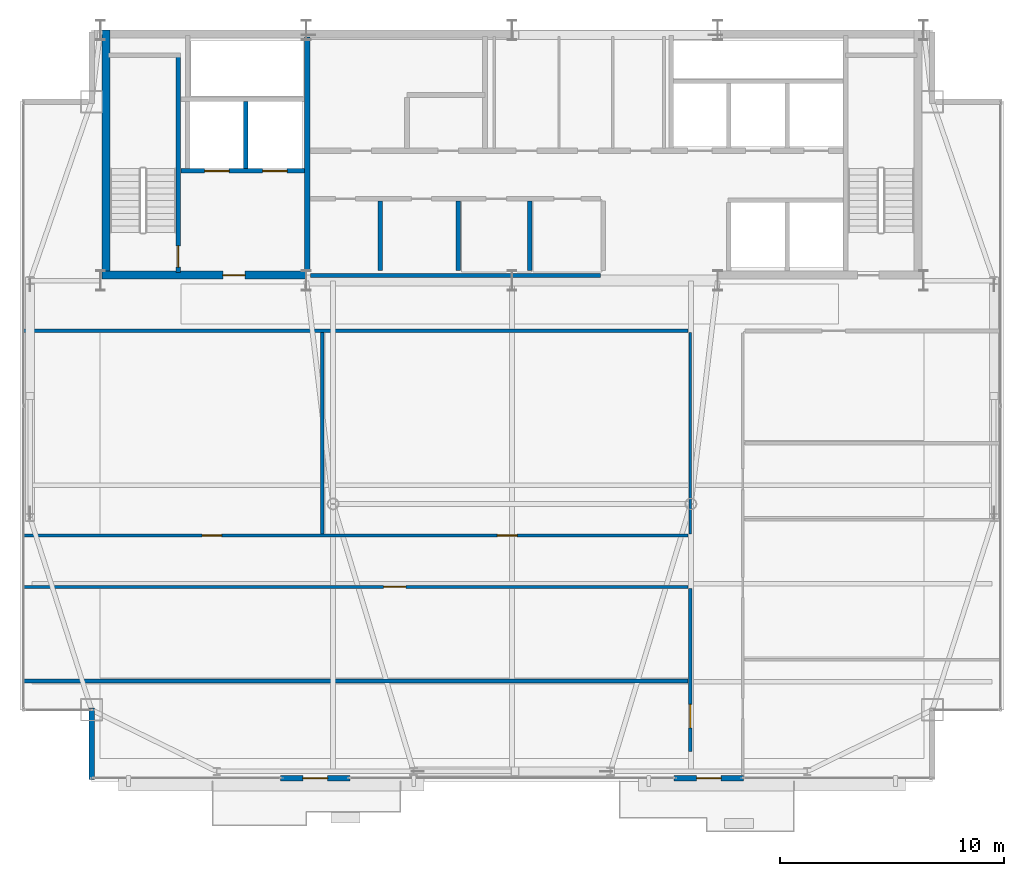
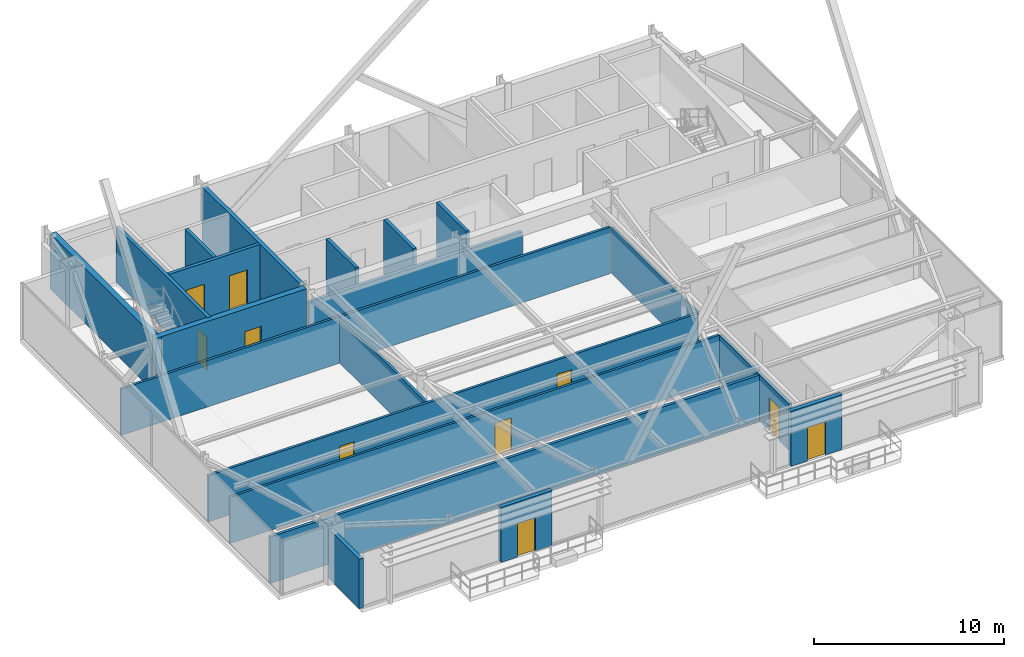
# One storey, part 21 of 25: 20 walls, 10 doors, 10 openings.
"""IFC4 building model written with IfcOpenShell, lengths in metres."""

import ifcopenshell
import ifcopenshell.guid

model = None  # the IFC model being written
_history = None  # IfcOwnerHistory: only IFC2X3 demands one
_inside = {}  # id of a spatial element -> (the spatial element, [elements in it])
_under = {}  # id of a project, library or spatial element -> (it, [spatial elements below it])
_declared = {}  # id of a project -> (the project, [libraries it declares])
_typed = {}  # id of a type object -> (the type object, [elements of that type])
_made_of = {}  # id of a material, layer set ... -> (it, [elements and type objects made of it])


def new_model(schema):
    """Start an empty IFC model of exactly this schema.

    Asked for "IFC4X3", IfcOpenShell would pick the latest addendum, in which some entities
    have other attributes; the version numbers below select the first issue.
    IFC2X3 requires an IfcOwnerHistory on every rooted entity: one is made here for all.
    """
    global model, _history
    if schema == "IFC4X3":
        model = ifcopenshell.file(schema_version=(4, 3, 0, 0))
    else:
        model = ifcopenshell.file(schema=schema)
    _inside.clear()
    _under.clear()
    _declared.clear()
    _typed.clear()
    _made_of.clear()
    _history = None
    if model.schema == "IFC2X3":
        org = make("IfcOrganization", Name="unknown")
        user = make(
            "IfcPersonAndOrganization",
            ThePerson=make("IfcPerson", FamilyName="unknown"),
            TheOrganization=org,
        )
        app = make(
            "IfcApplication",
            ApplicationDeveloper=org,
            Version="unknown",
            ApplicationFullName="unknown",
            ApplicationIdentifier="unknown",
        )
        _history = make(
            "IfcOwnerHistory",
            OwningUser=user,
            OwningApplication=app,
            ChangeAction="ADDED",
            CreationDate=0,
        )
    return model


def make(cls, **values):
    """One entity of the class cls with the attributes given. An attribute that is None is left unset."""
    return model.create_entity(
        cls, **{name: value for name, value in values.items() if value is not None}
    )


def rooted(cls, **values):
    """An entity with a GlobalId (a new one), such as an element, a storey or a relation."""
    return make(cls, GlobalId=ifcopenshell.guid.new(), OwnerHistory=_history, **values)


def si_unit(unit_type, name, prefix=None):
    """IfcSIUnit, for example si_unit("LENGTHUNIT", "METRE", prefix="MILLI")."""
    return make("IfcSIUnit", UnitType=unit_type, Prefix=prefix, Name=name)


def assignment(units):
    """IfcUnitAssignment: the units of a project."""
    return None if units is None else make("IfcUnitAssignment", Units=units)


def point(xyz):
    """IfcCartesianPoint."""
    return None if xyz is None else make("IfcCartesianPoint", Coordinates=xyz)


def direction(xyz):
    """IfcDirection."""
    return None if xyz is None else make("IfcDirection", DirectionRatios=xyz)


def frame(location, z_axis=None, x_axis=None):
    """IfcAxis2Placement3D, a coordinate frame: its origin and axes. An axis left out is left unset."""
    return make(
        "IfcAxis2Placement3D",
        Location=point(location),
        Axis=direction(z_axis),
        RefDirection=direction(x_axis),
    )


def frame_2d(location, x_axis=None):
    """IfcAxis2Placement2D, a coordinate frame in the plane: its origin and x axis."""
    return make(
        "IfcAxis2Placement2D", Location=point(location), RefDirection=direction(x_axis)
    )


def origin():
    """The frame at (0, 0, 0) with its axes left unset."""
    return frame((0.0, 0.0, 0.0))


def place(relative_to, where):
    """IfcLocalPlacement: puts the frame where relative to a parent placement (None: the world)."""
    return make(
        "IfcLocalPlacement", PlacementRelTo=relative_to, RelativePlacement=where
    )


def context(
    kind, dimensions, precision=None, world=None, true_north=None, identifier=None
):
    """IfcGeometricRepresentationContext, for example the 3D "Model" context."""
    return make(
        "IfcGeometricRepresentationContext",
        ContextIdentifier=identifier,
        ContextType=kind,
        CoordinateSpaceDimension=dimensions,
        Precision=precision,
        WorldCoordinateSystem=world,
        TrueNorth=true_north,
    )


def subcontext(parent, identifier, kind, view, scale=None):
    """IfcGeometricRepresentationSubContext, for example "Body" below "Model"."""
    return make(
        "IfcGeometricRepresentationSubContext",
        ContextIdentifier=identifier,
        ContextType=kind,
        ParentContext=parent,
        TargetScale=scale,
        TargetView=view,
    )


def project(units=None, contexts=None):
    """IfcProject with its units and contexts."""
    return rooted(
        "IfcProject",
        Name="project",
        RepresentationContexts=contexts,
        UnitsInContext=assignment(units),
    )


def spatial(cls, under=None, at=None, **own):
    """A site, building, storey or space (cls), placed at a placement, below another one or the project."""
    s = rooted(cls, ObjectPlacement=at, **own)
    if under is not None:
        _under.setdefault(under.id(), (under, []))[1].append(s)
    return s


def profile(cls, at=None, kind="AREA", **sizes):
    """A parametric profile (cls). Its sizes go by their IFC names, for example OverallWidth=200.0."""
    return make(cls, ProfileType=kind, Position=at, **sizes)


def rectangle(**sizes):
    """IfcRectangleProfileDef."""
    return profile("IfcRectangleProfileDef", **sizes)


def extrude(swept, where, along, depth):
    """IfcExtrudedAreaSolid: the profile swept, set in the frame where, extruded along a direction by depth."""
    return make(
        "IfcExtrudedAreaSolid",
        SweptArea=swept,
        Position=where,
        ExtrudedDirection=direction(along),
        Depth=depth,
    )


def shape(context_of_items, identifier, shape_type, items):
    """IfcShapeRepresentation: the items that make up one representation, for example the "Body"."""
    return make(
        "IfcShapeRepresentation",
        ContextOfItems=context_of_items,
        RepresentationIdentifier=identifier,
        RepresentationType=shape_type,
        Items=items,
    )


def source(mapping_origin, context_of_items, identifier, shape_type, items):
    """IfcRepresentationMap: a shape defined once, which mapped items show again and again."""
    return make(
        "IfcRepresentationMap",
        MappingOrigin=mapping_origin,
        MappedRepresentation=shape(context_of_items, identifier, shape_type, items),
    )


def transform(
    local_origin,
    x_axis=None,
    y_axis=None,
    z_axis=None,
    scale=None,
    scale2=None,
    scale3=None,
    uniform=True,
):
    """IfcCartesianTransformationOperator3D, or its non-uniform kind. x_axis, y_axis, z_axis: its Axis1, 2, 3."""
    if uniform:
        return make(
            "IfcCartesianTransformationOperator3D",
            Axis1=direction(x_axis),
            Axis2=direction(y_axis),
            LocalOrigin=point(local_origin),
            Scale=scale,
            Axis3=direction(z_axis),
        )
    return make(
        "IfcCartesianTransformationOperator3DnonUniform",
        Axis1=direction(x_axis),
        Axis2=direction(y_axis),
        LocalOrigin=point(local_origin),
        Scale=scale,
        Axis3=direction(z_axis),
        Scale2=scale2,
        Scale3=scale3,
    )


def mapped(mapping_source, mapping_target):
    """IfcMappedItem: shows the shape of a source again, moved by a transform."""
    return make(
        "IfcMappedItem", MappingSource=mapping_source, MappingTarget=mapping_target
    )


def material(Name=None, Category=None):
    """IfcMaterial."""
    return make("IfcMaterial", Name=Name, Category=Category)


def layer(
    of_material, thickness, ventilated=None, Name=None, Category=None, Priority=None
):
    """IfcMaterialLayer: one layer of a wall or slab, of a material (None: an air gap)."""
    return make(
        "IfcMaterialLayer",
        Material=of_material,
        LayerThickness=thickness,
        IsVentilated=ventilated,
        Name=Name,
        Category=Category,
        Priority=Priority,
    )


def layer_set(layers, Name=None):
    """IfcMaterialLayerSet."""
    return make("IfcMaterialLayerSet", MaterialLayers=layers, LayerSetName=Name)


def made_of(thing, what):
    """Note that an element or type object is made of a material, layer set ...; save() writes the relation."""
    if what is not None:
        _made_of.setdefault(what.id(), (what, []))[1].append(thing)
    return thing


def type_object(cls, material=None, **own):
    """A type object (cls), such as IfcWallType, which elements share."""
    return made_of(rooted(cls, **own), material)


def type_shapes(of_type, sources):
    """Give a type object the sources (RepresentationMaps) that its elements show as mapped items."""
    of_type.RepresentationMaps = sources


def element(
    cls,
    number,
    at=None,
    inside=None,
    cuts=None,
    type_object=None,
    material=None,
    context=None,
    identifier="Body",
    shape_type=None,
    held_by="IfcProductDefinitionShape",
    body=None,
    shapes=None,
    **own,
):
    """One element of the class cls, such as IfcWall. Its Tag is "e" and its number.

    at: its placement. inside: the storey or other place that contains it. cuts: it is an
    opening in that element (IfcRelVoidsElement). A single representation is given by context,
    identifier, shape_type and body (its items); several are given by shapes. held_by: the class
    of the entity that holds the representations. save() writes the other relations.
    """
    e = rooted(cls, Tag="e%d" % number, ObjectPlacement=at, **own)
    if body is not None:
        shapes = [shape(context, identifier, shape_type, body)]
    if shapes is not None:
        e.Representation = make(held_by, Representations=shapes)
    if inside is not None:
        _inside.setdefault(inside.id(), (inside, []))[1].append(e)
    if cuts is not None:
        rooted(
            "IfcRelVoidsElement", RelatingBuildingElement=cuts, RelatedOpeningElement=e
        )
    if type_object is not None:
        _typed.setdefault(type_object.id(), (type_object, []))[1].append(e)
    return made_of(e, material)


def fill(opening, filler):
    """IfcRelFillsElement: the door or window that sits in an opening."""
    return rooted(
        "IfcRelFillsElement",
        RelatingOpeningElement=opening,
        RelatedBuildingElement=filler,
    )


def aggregate(whole, parts):
    """IfcRelAggregates: a whole, such as a stair, and the parts it consists of."""
    return rooted("IfcRelAggregates", RelatingObject=whole, RelatedObjects=parts)


def save(model, path):
    """Write the relations noted so far, then the file.

    IfcRelAggregates (storeys below a building ...), IfcRelContainedInSpatialStructure (elements
    in a storey), IfcRelDefinesByType, IfcRelAssociatesMaterial and IfcRelDeclares: one each for
    every whole, place, type object, material and project.
    """
    for whole, parts in _under.values():
        aggregate(whole, parts)
    for where, things in _inside.values():
        rooted(
            "IfcRelContainedInSpatialStructure",
            RelatedElements=things,
            RelatingStructure=where,
        )
    for kind, things in _typed.values():
        rooted("IfcRelDefinesByType", RelatedObjects=things, RelatingType=kind)
    for what, things in _made_of.values():
        rooted("IfcRelAssociatesMaterial", RelatedObjects=things, RelatingMaterial=what)
    for by, libraries in _declared.values():
        rooted("IfcRelDeclares", RelatingContext=by, RelatedDefinitions=libraries)
    model.write(path)


model = new_model("IFC4")

# Units and contexts
model_context = context("Model", 3, precision=1e-05, world=origin(), true_north=direction((0.0, 1.0)))
body_context = subcontext(model_context, "Body", "Model", "MODEL_VIEW")
ifc_project = project(units=[si_unit("LENGTHUNIT", "METRE"), si_unit("AREAUNIT", "SQUARE_METRE"), si_unit("VOLUMEUNIT", "CUBIC_METRE"), si_unit("PLANEANGLEUNIT", "RADIAN"), si_unit("MASSUNIT", "GRAM", prefix="KILO")], contexts=[model_context])

# Site, building, storey
site_placement = place(None, origin())
site = spatial("IfcSite", under=ifc_project, at=site_placement, CompositionType="ELEMENT")
building_placement = place(site_placement, origin())
building = spatial("IfcBuilding", under=site, at=building_placement, Name="Varnel Quay Broadcast Tower", CompositionType="ELEMENT")
storey_placement = place(building_placement, frame((0.0, 0.0, 273.60009765625)))
storey = spatial("IfcBuildingStorey", under=building, at=storey_placement, Name="L68", CompositionType="ELEMENT", Elevation=273.60009765625)

# Wall, opening, door
ifc_material_1 = material(Name="Concrete CSA A23.3 C50/60", Category="concrete")
ifc_layer_1 = layer(ifc_material_1, 0.199951171875, Name="Concrete CSA A23.3 C50/60")
ifc_layer_set_1 = layer_set([ifc_layer_1], Name="Concrete CSA A23.3 C50/60")
wall_type_1 = type_object("IfcWallType", Name="Wall_CoreShaftShear200", PredefinedType="SHEAR", material=ifc_layer_set_1)
wall_1_placement = place(storey_placement, frame((19.080078125, 35.949951171875, 0.0), z_axis=(0.0, 0.0, 1.0), x_axis=(0.0, 1.0, 0.0)))
wall_1 = element("IfcWall", 1, at=wall_1_placement, inside=storey, type_object=wall_type_1, Name="L68 Stair 1 East Structural Wall", PredefinedType="SHEAR", context=body_context, shape_type="SweptSolid", body=[
    extrude(rectangle(XDim=9.650146484375, YDim=0.199951171875, at=frame_2d((4.8251953125, 0.0))), origin(), (0.0, 0.0, 1.0), 3.5498046875),
])
opening_1_placement = place(wall_1_placement, frame((0.25, 0.0, 0.0)))
opening_1 = element("IfcOpeningElement", 2, at=opening_1_placement, cuts=wall_1, Name="Opening D-L68-S1", PredefinedType="OPENING", context=body_context, shape_type="SweptSolid", body=[
    extrude(rectangle(XDim=0.949951171875, YDim=2.10009765625, at=frame_2d((0.47509765625, 1.050048828125))), frame((0.0, 0.10986328125, 0.0), z_axis=(0.0, -1.0, 0.0), x_axis=(1.0, 0.0, 0.0)), (0.0, 0.0, 1.0), 0.219970703125),
])
ifc_material_2 = material(Name="Insulated Fire-Rated Hollow Steel Door", Category="steel")
door_type_1 = type_object("IfcDoorType", Name="Door_FireStair950", OperationType="NOTDEFINED", PredefinedType="DOOR", material=ifc_material_2)
shared_shape_1 = source(origin(), body_context, "Body", "SweptSolid", [
    extrude(rectangle(XDim=0.949951171875, YDim=2.10009765625, at=frame_2d((0.47509765625, 1.050048828125))), frame((0.0, 0.02490234375, 0.0), z_axis=(0.0, -1.0, 0.0), x_axis=(1.0, 0.0, 0.0)), (0.0, 0.0, 1.0), 0.050048828125),
])
type_shapes(door_type_1, [shared_shape_1])
door_1_placement = place(opening_1_placement, origin())
door_1 = element("IfcDoor", 3, at=door_1_placement, inside=storey, type_object=door_type_1, Name="L68 Stair 1 Fire Door", OperationType="SINGLE_SWING_LEFT", OverallHeight=2.10009765625, OverallWidth=0.949951171875, PredefinedType="DOOR", context=body_context, shape_type="MappedRepresentation", body=[
    mapped(shared_shape_1, transform((0.0, 0.0, 0.0), x_axis=(1.0, 0.0, 0.0), y_axis=(0.0, 1.0, 0.0), z_axis=(0.0, 0.0, 1.0), scale=1.0)),
])
fill(opening_1, door_1)

# Wall, openings, doors
wall_2_placement = place(storey_placement, frame((19.199951171875, 40.5, 0.0), z_axis=(0.0, 0.0, 1.0), x_axis=(1.0, 0.0, 0.0)))
wall_2 = element("IfcWall", 4, at=wall_2_placement, inside=storey, type_object=wall_type_1, Name="L68 Firefighter Lift Shaft Front Wall", PredefinedType="SHEAR", context=body_context, shape_type="SweptSolid", body=[
    extrude(rectangle(XDim=5.52001953125, YDim=0.199951171875, at=frame_2d((2.760009765625, 0.0))), origin(), (0.0, 0.0, 1.0), 3.5498046875),
])
opening_2_placement = place(wall_2_placement, frame((1.050048828125, 0.0, 0.0)))
opening_2 = element("IfcOpeningElement", 5, at=opening_2_placement, cuts=wall_2, Name="Opening LD-L68-FE1", PredefinedType="OPENING", context=body_context, shape_type="SweptSolid", body=[
    extrude(rectangle(XDim=1.10009765625, YDim=2.179931640625, at=frame_2d((0.550048828125, 1.08984375))), frame((0.0, 0.10986328125, 0.0), z_axis=(0.0, -1.0, 0.0), x_axis=(1.0, 0.0, 0.0)), (0.0, 0.0, 1.0), 0.219970703125),
])
opening_3_placement = place(wall_2_placement, frame((3.64990234375, 0.0, 0.0)))
opening_3 = element("IfcOpeningElement", 6, at=opening_3_placement, cuts=wall_2, Name="Opening LD-L68-FE2", PredefinedType="OPENING", context=body_context, shape_type="SweptSolid", body=[
    extrude(rectangle(XDim=1.10009765625, YDim=2.179931640625, at=frame_2d((0.550048828125, 1.08984375))), frame((0.0, 0.10986328125, 0.0), z_axis=(0.0, -1.0, 0.0), x_axis=(1.0, 0.0, 0.0)), (0.0, 0.0, 1.0), 0.219970703125),
])
ifc_material_3 = material(Name="Brushed Bronze-Stainless Lift Car & Sliding Doors", Category="steel")
door_type_2 = type_object("IfcDoorType", Name="Door_LiftLanding1100", OperationType="SLIDING_TO_LEFT", PredefinedType="DOOR", material=ifc_material_3)
shared_shape_2 = source(origin(), body_context, "Body", "SweptSolid", [
    extrude(rectangle(XDim=1.10009765625, YDim=2.179931640625, at=frame_2d((0.550048828125, 1.08984375))), frame((0.0, 0.02490234375, 0.0), z_axis=(0.0, -1.0, 0.0), x_axis=(1.0, 0.0, 0.0)), (0.0, 0.0, 1.0), 0.050048828125),
])
type_shapes(door_type_2, [shared_shape_2])
door_2_placement = place(opening_2_placement, frame((1.10009765625, 0.0, 0.0), z_axis=(0.0, 0.0, 1.0), x_axis=(-1.0, 0.0, 0.0)))
door_2 = element("IfcDoor", 7, at=door_2_placement, inside=storey, type_object=door_type_2, Name="L68 Firefighter Lift FE-01 Landing Door", OperationType="SLIDING_TO_LEFT", OverallHeight=2.179931640625, OverallWidth=1.10009765625, PredefinedType="DOOR", context=body_context, shape_type="MappedRepresentation", body=[
    mapped(shared_shape_2, transform((0.0, 0.0, 0.0), x_axis=(1.0, 0.0, 0.0), y_axis=(0.0, 1.0, 0.0), z_axis=(0.0, 0.0, 1.0), scale=1.0)),
])
fill(opening_2, door_2)
door_3_placement = place(opening_3_placement, frame((1.10009765625, 0.0, 0.0), z_axis=(0.0, 0.0, 1.0), x_axis=(-1.0, 0.0, 0.0)))
door_3 = element("IfcDoor", 8, at=door_3_placement, inside=storey, type_object=door_type_2, Name="L68 Firefighter Lift FE-02 Landing Door", OperationType="SLIDING_TO_RIGHT", OverallHeight=2.179931640625, OverallWidth=1.10009765625, PredefinedType="DOOR", context=body_context, shape_type="MappedRepresentation", body=[
    mapped(shared_shape_2, transform((0.0, 0.0, 0.0), x_axis=(1.0, 0.0, 0.0), y_axis=(0.0, 1.0, 0.0), z_axis=(0.0, 0.0, 1.0), scale=1.0)),
])
fill(opening_3, door_3)

# Walls
wall_3_placement = place(storey_placement, frame((22.10009765625, 40.60009765625, 0.0), z_axis=(0.0, 0.0, 1.0), x_axis=(0.0, 1.0, 0.0)))
element("IfcWall", 9, at=wall_3_placement, inside=storey, type_object=wall_type_1, Name="L68 Firefighter Lift Shaft Divider", PredefinedType="SHEAR", context=body_context, shape_type="SweptSolid", body=[
    extrude(rectangle(XDim=3.0, YDim=0.199951171875, at=frame_2d((1.5, 0.0))), origin(), (0.0, 0.0, 1.0), 3.5498046875),
])
ifc_layer_2 = layer(ifc_material_1, 0.25, Name="Concrete CSA A23.3 C50/60")
ifc_layer_set_2 = layer_set([ifc_layer_2], Name="Concrete CSA A23.3 C50/60")
wall_type_2 = type_object("IfcWallType", Name="Wall_CoreShaftShear250", PredefinedType="SHEAR", material=ifc_layer_set_2)
wall_4_placement = place(storey_placement, frame((24.85009765625, 36.050048828125, 0.0), z_axis=(0.0, 0.0, 1.0), x_axis=(0.0, 1.0, 0.0)))
element("IfcWall", 10, at=wall_4_placement, inside=storey, type_object=wall_type_2, Name="L68 Firefighting Lobby East Structural Wall", PredefinedType="SHEAR", context=body_context, shape_type="SweptSolid", body=[
    extrude(rectangle(XDim=10.449951171875, YDim=0.25, at=frame_2d((5.22509765625, 0.0))), origin(), (0.0, 0.0, 1.0), 3.5498046875),
])
ifc_layer_3 = layer(ifc_material_1, 0.35009765625, Name="Concrete CSA A23.3 C50/60")
ifc_layer_set_3 = layer_set([ifc_layer_3], Name="Concrete CSA A23.3 C50/60")
wall_type_3 = type_object("IfcWallType", Name="Wall_CoreShearInt350", PredefinedType="SHEAR", material=ifc_layer_set_3)
wall_5_placement = place(storey_placement, frame((15.844970703125, 35.669921875, 0.0), z_axis=(0.0, 0.0, 1.0), x_axis=(0.0, 1.0, 0.0)))
element("IfcWall", 11, at=wall_5_placement, inside=storey, type_object=wall_type_3, Name="L68 West Core Shear Wall", PredefinedType="SHEAR", context=body_context, shape_type="SweptSolid", body=[
    extrude(rectangle(XDim=11.130126953125, YDim=0.35009765625, at=frame_2d((5.56494140625, 0.0))), origin(), (0.0, 0.0, 1.0), 3.5498046875),
])

# Wall, opening, door
wall_6_placement = place(storey_placement, frame((15.669921875, 35.844970703125, 0.0), z_axis=(0.0, 0.0, 1.0), x_axis=(1.0, 0.0, 0.0)))
wall_6 = element("IfcWall", 12, at=wall_6_placement, inside=storey, type_object=wall_type_3, Name="L68 South-West Core Shear Wall", PredefinedType="SHEAR", context=body_context, shape_type="SweptSolid", body=[
    extrude(rectangle(XDim=9.130126953125, YDim=0.35009765625, at=frame_2d((4.56494140625, 0.0))), origin(), (0.0, 0.0, 1.0), 3.5498046875),
])
opening_4_placement = place(wall_6_placement, frame((5.39990234375, 0.0, 0.0)))
opening_4 = element("IfcOpeningElement", 13, at=opening_4_placement, cuts=wall_6, Name="Opening D-L68-FFL", PredefinedType="OPENING", context=body_context, shape_type="SweptSolid", body=[
    extrude(rectangle(XDim=1.0, YDim=2.10009765625, at=frame_2d((0.5, 1.050048828125))), frame((0.0, 0.18505859375, 0.0), z_axis=(0.0, -1.0, 0.0), x_axis=(1.0, 0.0, 0.0)), (0.0, 0.0, 1.0), 0.3701171875),
])
door_type_3 = type_object("IfcDoorType", Name="Door_FireLobby1000", OperationType="NOTDEFINED", PredefinedType="DOOR", material=ifc_material_2)
shared_shape_3 = source(origin(), body_context, "Body", "SweptSolid", [
    extrude(rectangle(XDim=1.0, YDim=2.10009765625, at=frame_2d((0.5, 1.050048828125))), frame((0.0, 0.02490234375, 0.0), z_axis=(0.0, -1.0, 0.0), x_axis=(1.0, 0.0, 0.0)), (0.0, 0.0, 1.0), 0.050048828125),
])
type_shapes(door_type_3, [shared_shape_3])
door_4_placement = place(opening_4_placement, origin())
door_4 = element("IfcDoor", 14, at=door_4_placement, inside=storey, type_object=door_type_3, Name="L68 Firefighting Lobby Door", OperationType="SINGLE_SWING_RIGHT", OverallHeight=2.10009765625, OverallWidth=1.0, PredefinedType="DOOR", context=body_context, shape_type="MappedRepresentation", body=[
    mapped(shared_shape_3, transform((0.0, 0.0, 0.0), x_axis=(1.0, 0.0, 0.0), y_axis=(0.0, 1.0, 0.0), z_axis=(0.0, 0.0, 1.0), scale=1.0)),
])
fill(opening_4, door_4)

ifc_material_4 = material(Name="Precast Architectural Concrete C40/50", Category="concrete")
ifc_layer_4 = layer(ifc_material_4, 0.25, Name="Precast Architectural Concrete C40/50")
ifc_layer_set_4 = layer_set([ifc_layer_4], Name="Precast Architectural Concrete C40/50")
wall_type_4 = type_object("IfcWallType", Name="Wall_ExtTerrace250", PredefinedType="SOLIDWALL", material=ifc_layer_set_4)
wall_7_placement = place(storey_placement, frame((23.64990234375, 13.35009765625, 0.0), z_axis=(0.0, 0.0, 1.0), x_axis=(1.0, 0.0, 0.0)))
wall_7 = element("IfcWall", 15, at=wall_7_placement, inside=storey, type_object=wall_type_4, Name="L68 Terrace Access Wall 1", PredefinedType="SOLIDWALL", context=body_context, shape_type="SweptSolid", body=[
    extrude(rectangle(XDim=3.10009765625, YDim=0.25, at=frame_2d((1.550048828125, 0.0))), origin(), (0.0, 0.0, 1.0), 3.52978515625),
])
opening_5_placement = place(wall_7_placement, frame((1.0, 0.0, 0.0)))
opening_5 = element("IfcOpeningElement", 16, at=opening_5_placement, cuts=wall_7, Name="Opening TD-681", PredefinedType="OPENING", context=body_context, shape_type="SweptSolid", body=[
    extrude(rectangle(XDim=1.10009765625, YDim=2.14990234375, at=frame_2d((0.550048828125, 1.074951171875))), frame((0.0, 0.135009765625, 0.0), z_axis=(0.0, -1.0, 0.0), x_axis=(1.0, 0.0, 0.0)), (0.0, 0.0, 1.0), 0.27001953125),
])
ifc_material_5 = material(Name="Anodised Bronze Aluminium 6063-T6", Category="aluminium")
door_type_4 = type_object("IfcDoorType", Name="Door_ExtTerrace1100", OperationType="NOTDEFINED", PredefinedType="DOOR", material=ifc_material_5)
shared_shape_4 = source(origin(), body_context, "Body", "SweptSolid", [
    extrude(rectangle(XDim=1.10009765625, YDim=2.14990234375, at=frame_2d((0.550048828125, 1.074951171875))), frame((0.0, 0.02490234375, 0.0), z_axis=(0.0, -1.0, 0.0), x_axis=(1.0, 0.0, 0.0)), (0.0, 0.0, 1.0), 0.050048828125),
])
type_shapes(door_type_4, [shared_shape_4])
door_5_placement = place(opening_5_placement, frame((1.10009765625, 0.0, 0.0), z_axis=(0.0, 0.0, 1.0), x_axis=(-1.0, 0.0, 0.0)))
door_5 = element("IfcDoor", 17, at=door_5_placement, inside=storey, type_object=door_type_4, Name="L68 Terrace Door TD-681", OperationType="SINGLE_SWING_LEFT", OverallHeight=2.14990234375, OverallWidth=1.10009765625, PredefinedType="DOOR", context=body_context, shape_type="MappedRepresentation", body=[
    mapped(shared_shape_4, transform((0.0, 0.0, 0.0), x_axis=(1.0, 0.0, 0.0), y_axis=(0.0, 1.0, 0.0), z_axis=(0.0, 0.0, 1.0), scale=1.0)),
])
fill(opening_5, door_5)

wall_8_placement = place(storey_placement, frame((41.25, 13.35009765625, 0.0), z_axis=(0.0, 0.0, 1.0), x_axis=(1.0, 0.0, 0.0)))
wall_8 = element("IfcWall", 18, at=wall_8_placement, inside=storey, type_object=wall_type_4, Name="L68 Terrace Access Wall 2", PredefinedType="SOLIDWALL", context=body_context, shape_type="SweptSolid", body=[
    extrude(rectangle(XDim=3.10009765625, YDim=0.25, at=frame_2d((1.550048828125, 0.0))), origin(), (0.0, 0.0, 1.0), 3.52978515625),
])
opening_6_placement = place(wall_8_placement, frame((1.0, 0.0, 0.0)))
opening_6 = element("IfcOpeningElement", 19, at=opening_6_placement, cuts=wall_8, Name="Opening TD-682", PredefinedType="OPENING", context=body_context, shape_type="SweptSolid", body=[
    extrude(rectangle(XDim=1.10009765625, YDim=2.14990234375, at=frame_2d((0.550048828125, 1.074951171875))), frame((0.0, 0.135009765625, 0.0), z_axis=(0.0, -1.0, 0.0), x_axis=(1.0, 0.0, 0.0)), (0.0, 0.0, 1.0), 0.27001953125),
])
door_6_placement = place(opening_6_placement, frame((1.10009765625, 0.0, 0.0), z_axis=(0.0, 0.0, 1.0), x_axis=(-1.0, 0.0, 0.0)))
door_6 = element("IfcDoor", 20, at=door_6_placement, inside=storey, type_object=door_type_4, Name="L68 Terrace Door TD-682", OperationType="SINGLE_SWING_RIGHT", OverallHeight=2.14990234375, OverallWidth=1.10009765625, PredefinedType="DOOR", context=body_context, shape_type="MappedRepresentation", body=[
    mapped(shared_shape_4, transform((0.0, 0.0, 0.0), x_axis=(1.0, 0.0, 0.0), y_axis=(0.0, 1.0, 0.0), z_axis=(0.0, 0.0, 1.0), scale=1.0)),
])
fill(opening_6, door_6)

# Walls
wall_9_placement = place(storey_placement, frame((15.199951171875, 13.280029296875, 0.0), z_axis=(0.0, 0.0, 1.0), x_axis=(0.0, 1.0, 0.0)))
element("IfcWall", 21, at=wall_9_placement, inside=storey, type_object=wall_type_4, Name="L68 Mega-Column Notch Cladding Wall NSW2", PredefinedType="SOLIDWALL", context=body_context, shape_type="SweptSolid", body=[
    extrude(rectangle(XDim=3.199951171875, YDim=0.25, at=frame_2d((1.60009765625, 0.0))), origin(), (0.0, 0.0, 1.0), 3.1708984375),
])
ifc_material_6 = material(Name="Concrete Blockwork Fire Enclosure C40/50", Category="masonry")
ifc_layer_5 = layer(ifc_material_6, 0.199951171875, Name="Concrete Blockwork Fire Enclosure C40/50")
ifc_layer_set_5 = layer_set([ifc_layer_5], Name="Concrete Blockwork Fire Enclosure C40/50")
wall_type_5 = type_object("IfcWallType", Name="Wall_FireShaft200", PredefinedType="SOLIDWALL", material=ifc_layer_set_5)
wall_10_placement = place(storey_placement, frame((25.0, 35.824951171875, 0.0), z_axis=(0.0, 0.0, 1.0), x_axis=(1.0, 0.0, 0.0)))
element("IfcWall", 22, at=wall_10_placement, inside=storey, type_object=wall_type_5, Name="L68 Accessible Universal Washroom Partition 1", PredefinedType="SOLIDWALL", context=body_context, shape_type="SweptSolid", body=[
    extrude(rectangle(XDim=12.949951171875, YDim=0.199951171875, at=frame_2d((6.47509765625, 0.0))), origin(), (0.0, 0.0, 1.0), 2.574951171875),
])
wall_11_placement = place(storey_placement, frame((34.800048828125, 36.050048828125, 0.0), z_axis=(0.0, 0.0, 1.0), x_axis=(0.0, 1.0, 0.0)))
element("IfcWall", 23, at=wall_11_placement, inside=storey, type_object=wall_type_5, Name="L68 Broadcast First-Aid & Quiet Room Partition 5", PredefinedType="SOLIDWALL", context=body_context, shape_type="SweptSolid", body=[
    extrude(rectangle(XDim=3.099853515625, YDim=0.199951171875, at=frame_2d((1.5498046875, 0.0))), origin(), (0.0, 0.0, 1.0), 3.52978515625),
])
ifc_material_7 = material(Name="Steel-Stud Fire-Rated Acoustic Gypsum Partition Assembly", Category="steel")
ifc_layer_6 = layer(ifc_material_7, 0.10498046875, Name="Steel-Stud Fire-Rated Acoustic Gypsum Partition Assembly")
ifc_layer_set_6 = layer_set([ifc_layer_6], Name="Steel-Stud Fire-Rated Acoustic Gypsum Partition Assembly")
wall_type_6 = type_object("IfcWallType", Name="Wall_Partition105", PredefinedType="PARTITIONING", material=ifc_layer_set_6)
wall_12_placement = place(storey_placement, frame((41.969970703125, 24.27490234375, 0.0), z_axis=(0.0, 0.0, 1.0), x_axis=(0.0, 1.0, 0.0)))
element("IfcWall", 24, at=wall_12_placement, inside=storey, type_object=wall_type_6, Name="L68 Media Tape Archive Store 4 Partition 13", PredefinedType="PARTITIONING", context=body_context, shape_type="SweptSolid", body=[
    extrude(rectangle(XDim=9.0, YDim=0.10498046875, at=frame_2d((4.5, 0.0))), origin(), (0.0, 0.0, 1.0), 2.98095703125),
])

# Wall, opening, door
ifc_layer_7 = layer(ifc_material_7, 0.139892578125, Name="Steel-Stud Fire-Rated Acoustic Gypsum Partition Assembly")
ifc_layer_set_7 = layer_set([ifc_layer_7], Name="Steel-Stud Fire-Rated Acoustic Gypsum Partition Assembly")
wall_type_7 = type_object("IfcWallType", Name="Wall_Partition140", PredefinedType="PARTITIONING", material=ifc_layer_set_7)
wall_13_placement = place(storey_placement, frame((12.179931640625, 21.89990234375, 0.0), z_axis=(0.0, 0.0, 1.0), x_axis=(1.0, 0.0, 0.0)))
wall_13 = element("IfcWall", 25, at=wall_13_placement, inside=storey, type_object=wall_type_7, Name="L68 Producer Lounge 2 Partition 9", PredefinedType="PARTITIONING", context=body_context, shape_type="SweptSolid", body=[
    extrude(rectangle(XDim=29.690185546875, YDim=0.139892578125, at=frame_2d((14.84521484375, 0.0))), origin(), (0.0, 0.0, 1.0), 2.98095703125),
])
opening_7_placement = place(wall_13_placement, frame((16.080078125, 0.0, 0.0)))
opening_7 = element("IfcOpeningElement", 26, at=opening_7_placement, cuts=wall_13, Name="Opening D-L68-06", PredefinedType="OPENING", context=body_context, shape_type="SweptSolid", body=[
    extrude(rectangle(XDim=1.0, YDim=2.10009765625, at=frame_2d((0.5, 1.050048828125))), frame((0.0, 0.080078125, 0.0), z_axis=(0.0, -1.0, 0.0), x_axis=(1.0, 0.0, 0.0)), (0.0, 0.0, 1.0), 0.159912109375),
])
ifc_material_8 = material(Name="Solid-Core Fire-Rated Acoustic Oak Veneer Door", Category="wood")
door_type_5 = type_object("IfcDoorType", Name="Door_Exec1000", OperationType="NOTDEFINED", PredefinedType="DOOR", material=ifc_material_8)
shared_shape_5 = source(origin(), body_context, "Body", "SweptSolid", [
    extrude(rectangle(XDim=1.0, YDim=2.10009765625, at=frame_2d((0.5, 1.050048828125))), frame((0.0, 0.02490234375, 0.0), z_axis=(0.0, -1.0, 0.0), x_axis=(1.0, 0.0, 0.0)), (0.0, 0.0, 1.0), 0.050048828125),
])
type_shapes(door_type_5, [shared_shape_5])
door_7_placement = place(opening_7_placement, frame((1.0, 0.0, 0.0), z_axis=(0.0, 0.0, 1.0), x_axis=(-1.0, 0.0, 0.0)))
door_7 = element("IfcDoor", 27, at=door_7_placement, inside=storey, type_object=door_type_5, Name="L68 Producer Lounge 2 Door D-L68-06", OperationType="SINGLE_SWING_RIGHT", OverallHeight=2.10009765625, OverallWidth=1.0, PredefinedType="DOOR", context=body_context, shape_type="MappedRepresentation", body=[
    mapped(shared_shape_5, transform((0.0, 0.0, 0.0), x_axis=(1.0, 0.0, 0.0), y_axis=(0.0, 1.0, 0.0), z_axis=(0.0, 0.0, 1.0), scale=1.0)),
])
fill(opening_7, door_7)

# Wall, openings, doors
ifc_layer_8 = layer(ifc_material_7, 0.14990234375, Name="Steel-Stud Fire-Rated Acoustic Gypsum Partition Assembly")
ifc_layer_set_8 = layer_set([ifc_layer_8], Name="Steel-Stud Fire-Rated Acoustic Gypsum Partition Assembly")
wall_type_8 = type_object("IfcWallType", Name="Wall_Partition150", PredefinedType="PARTITIONING", material=ifc_layer_set_8)
wall_14_placement = place(storey_placement, frame((12.179931640625, 24.199951171875, 0.0), z_axis=(0.0, 0.0, 1.0), x_axis=(1.0, 0.0, 0.0)))
wall_14 = element("IfcWall", 28, at=wall_14_placement, inside=storey, type_object=wall_type_8, Name="L68 Tea Kitchen 3 Partition 10", PredefinedType="PARTITIONING", context=body_context, shape_type="SweptSolid", body=[
    extrude(rectangle(XDim=29.690185546875, YDim=0.14990234375, at=frame_2d((14.84521484375, 0.0))), origin(), (0.0, 0.0, 1.0), 2.98095703125),
])
opening_8_placement = place(wall_14_placement, frame((7.9599609375, 0.0, 0.0)))
opening_8 = element("IfcOpeningElement", 29, at=opening_8_placement, cuts=wall_14, Name="Opening D-L68-07", PredefinedType="OPENING", context=body_context, shape_type="SweptSolid", body=[
    extrude(rectangle(XDim=0.8798828125, YDim=2.06005859375, at=frame_2d((0.43994140625, 1.030029296875))), frame((0.0, 0.0849609375, 0.0), z_axis=(0.0, -1.0, 0.0), x_axis=(1.0, 0.0, 0.0)), (0.0, 0.0, 1.0), 0.169921875),
])
opening_9_placement = place(wall_14_placement, frame((21.169921875, 0.0, 0.0)))
opening_9 = element("IfcOpeningElement", 30, at=opening_9_placement, cuts=wall_14, Name="Opening D-L68-08", PredefinedType="OPENING", context=body_context, shape_type="SweptSolid", body=[
    extrude(rectangle(XDim=0.8798828125, YDim=2.06005859375, at=frame_2d((0.43994140625, 1.030029296875))), frame((0.0, 0.0849609375, 0.0), z_axis=(0.0, -1.0, 0.0), x_axis=(1.0, 0.0, 0.0)), (0.0, 0.0, 1.0), 0.169921875),
])
door_type_6 = type_object("IfcDoorType", Name="Door_Booth880", OperationType="NOTDEFINED", PredefinedType="DOOR", material=ifc_material_8)
shared_shape_6 = source(origin(), body_context, "Body", "SweptSolid", [
    extrude(rectangle(XDim=0.8798828125, YDim=2.06005859375, at=frame_2d((0.43994140625, 1.030029296875))), frame((0.0, 0.02490234375, 0.0), z_axis=(0.0, -1.0, 0.0), x_axis=(1.0, 0.0, 0.0)), (0.0, 0.0, 1.0), 0.050048828125),
])
type_shapes(door_type_6, [shared_shape_6])
door_8_placement = place(opening_8_placement, origin())
door_8 = element("IfcDoor", 31, at=door_8_placement, inside=storey, type_object=door_type_6, Name="L68 Tea Kitchen 3 Door D-L68-07", OperationType="SINGLE_SWING_LEFT", OverallHeight=2.06005859375, OverallWidth=0.8798828125, PredefinedType="DOOR", context=body_context, shape_type="MappedRepresentation", body=[
    mapped(shared_shape_6, transform((0.0, 0.0, 0.0), x_axis=(1.0, 0.0, 0.0), y_axis=(0.0, 1.0, 0.0), z_axis=(0.0, 0.0, 1.0), scale=1.0)),
])
fill(opening_8, door_8)
door_9_placement = place(opening_9_placement, origin())
door_9 = element("IfcDoor", 32, at=door_9_placement, inside=storey, type_object=door_type_6, Name="L68 Media Tape Archive Store 4 Door D-L68-08", OperationType="SINGLE_SWING_RIGHT", OverallHeight=2.06005859375, OverallWidth=0.8798828125, PredefinedType="DOOR", context=body_context, shape_type="MappedRepresentation", body=[
    mapped(shared_shape_6, transform((0.0, 0.0, 0.0), x_axis=(1.0, 0.0, 0.0), y_axis=(0.0, 1.0, 0.0), z_axis=(0.0, 0.0, 1.0), scale=1.0)),
])
fill(opening_9, door_9)

# Walls
wall_15_placement = place(storey_placement, frame((25.510009765625, 24.27490234375, 0.0), z_axis=(0.0, 0.0, 1.0), x_axis=(0.0, 1.0, 0.0)))
element("IfcWall", 33, at=wall_15_placement, inside=storey, type_object=wall_type_8, Name="L68 Tea Kitchen 3 Partition 11", PredefinedType="PARTITIONING", context=body_context, shape_type="SweptSolid", body=[
    extrude(rectangle(XDim=9.0, YDim=0.14990234375, at=frame_2d((4.5, 0.0))), origin(), (0.0, 0.0, 1.0), 2.98095703125),
])
wall_16_placement = place(storey_placement, frame((12.179931640625, 33.35009765625, 0.0), z_axis=(0.0, 0.0, 1.0), x_axis=(1.0, 0.0, 0.0)))
element("IfcWall", 34, at=wall_16_placement, inside=storey, type_object=wall_type_8, Name="L68 Tea Kitchen 3 Partition 12", PredefinedType="PARTITIONING", context=body_context, shape_type="SweptSolid", body=[
    extrude(rectangle(XDim=29.690185546875, YDim=0.14990234375, at=frame_2d((14.84521484375, 0.0))), origin(), (0.0, 0.0, 1.0), 2.98095703125),
])

# Wall, opening, door
ifc_layer_9 = layer(ifc_material_7, 0.175048828125, Name="Steel-Stud Fire-Rated Acoustic Gypsum Partition Assembly")
ifc_layer_set_9 = layer_set([ifc_layer_9], Name="Steel-Stud Fire-Rated Acoustic Gypsum Partition Assembly")
wall_type_9 = type_object("IfcWallType", Name="Wall_Partition175", PredefinedType="PARTITIONING", material=ifc_layer_set_9)
wall_17_placement = place(storey_placement, frame((41.969970703125, 14.550048828125, 0.0), z_axis=(0.0, 0.0, 1.0), x_axis=(0.0, 1.0, 0.0)))
wall_17 = element("IfcWall", 35, at=wall_17_placement, inside=storey, type_object=wall_type_9, Name="L68 Screening Meeting Room 1 Partition 7", PredefinedType="PARTITIONING", context=body_context, shape_type="SweptSolid", body=[
    extrude(rectangle(XDim=7.280029296875, YDim=0.175048828125, at=frame_2d((3.64013671875, 0.0))), origin(), (0.0, 0.0, 1.0), 2.98095703125),
])
opening_10_placement = place(wall_17_placement, frame((1.050048828125, 0.0, 0.0)))
opening_10 = element("IfcOpeningElement", 36, at=opening_10_placement, cuts=wall_17, Name="Opening D-L68-05", PredefinedType="OPENING", context=body_context, shape_type="SweptSolid", body=[
    extrude(rectangle(XDim=1.050048828125, YDim=2.10009765625, at=frame_2d((0.52490234375, 1.050048828125))), frame((0.0, 0.09765625, 0.0), z_axis=(0.0, -1.0, 0.0), x_axis=(1.0, 0.0, 0.0)), (0.0, 0.0, 1.0), 0.195068359375),
])
door_type_7 = type_object("IfcDoorType", Name="Door_Meeting1050", OperationType="NOTDEFINED", PredefinedType="DOOR", material=ifc_material_8)
shared_shape_7 = source(origin(), body_context, "Body", "SweptSolid", [
    extrude(rectangle(XDim=1.050048828125, YDim=2.10009765625, at=frame_2d((0.52490234375, 1.050048828125))), frame((0.0, 0.02490234375, 0.0), z_axis=(0.0, -1.0, 0.0), x_axis=(1.0, 0.0, 0.0)), (0.0, 0.0, 1.0), 0.050048828125),
])
type_shapes(door_type_7, [shared_shape_7])
door_10_placement = place(opening_10_placement, origin())
door_10 = element("IfcDoor", 37, at=door_10_placement, inside=storey, type_object=door_type_7, Name="L68 Screening Meeting Room 1 Door D-L68-05", OperationType="SINGLE_SWING_LEFT", OverallHeight=2.10009765625, OverallWidth=1.050048828125, PredefinedType="DOOR", context=body_context, shape_type="MappedRepresentation", body=[
    mapped(shared_shape_7, transform((0.0, 0.0, 0.0), x_axis=(1.0, 0.0, 0.0), y_axis=(0.0, 1.0, 0.0), z_axis=(0.0, 0.0, 1.0), scale=1.0)),
])
fill(opening_10, door_10)

# Walls
wall_18_placement = place(storey_placement, frame((12.179931640625, 17.699951171875, 0.0), z_axis=(0.0, 0.0, 1.0), x_axis=(1.0, 0.0, 0.0)))
element("IfcWall", 38, at=wall_18_placement, inside=storey, type_object=wall_type_9, Name="L68 Screening Meeting Room 1 Partition 8", PredefinedType="PARTITIONING", context=body_context, shape_type="SweptSolid", body=[
    extrude(rectangle(XDim=29.690185546875, YDim=0.175048828125, at=frame_2d((14.84521484375, 0.0))), origin(), (0.0, 0.0, 1.0), 2.98095703125),
])
ifc_material_9 = material(Name="Fire-Rated Moisture-Resistant Plumbing Chase Partition")
ifc_layer_10 = layer(ifc_material_9, 0.199951171875, Name="Fire-Rated Moisture-Resistant Plumbing Chase Partition")
ifc_layer_set_10 = layer_set([ifc_layer_10], Name="Fire-Rated Moisture-Resistant Plumbing Chase Partition")
wall_type_10 = type_object("IfcWallType", Name="Wall_Plumbing200", PredefinedType="PLUMBINGWALL", material=ifc_layer_set_10)
for number, where, z_axis, x_axis, name in (
    (39, (28.10009765625, 36.050048828125, 0.0), (0.0, 0.0, 1.0), (0.0, 1.0, 0.0), "L68 Accessible Universal Washroom Partition 2"),
    (40, (31.60009765625, 36.050048828125, 0.0), (0.0, 0.0, 1.0), (0.0, 1.0, 0.0), "L68 Staff Washroom Block Partition 4"),
):
    element("IfcWall", number, at=place(storey_placement, frame(where, z_axis=z_axis, x_axis=x_axis)), inside=storey, type_object=wall_type_10, Name=name, PredefinedType="PLUMBINGWALL", context=body_context, shape_type="SweptSolid", body=[
        extrude(rectangle(XDim=3.099853515625, YDim=0.199951171875, at=frame_2d((1.5498046875, 0.0))), origin(), (0.0, 0.0, 1.0), 3.52978515625),
    ])

save(model, "model.ifc")
